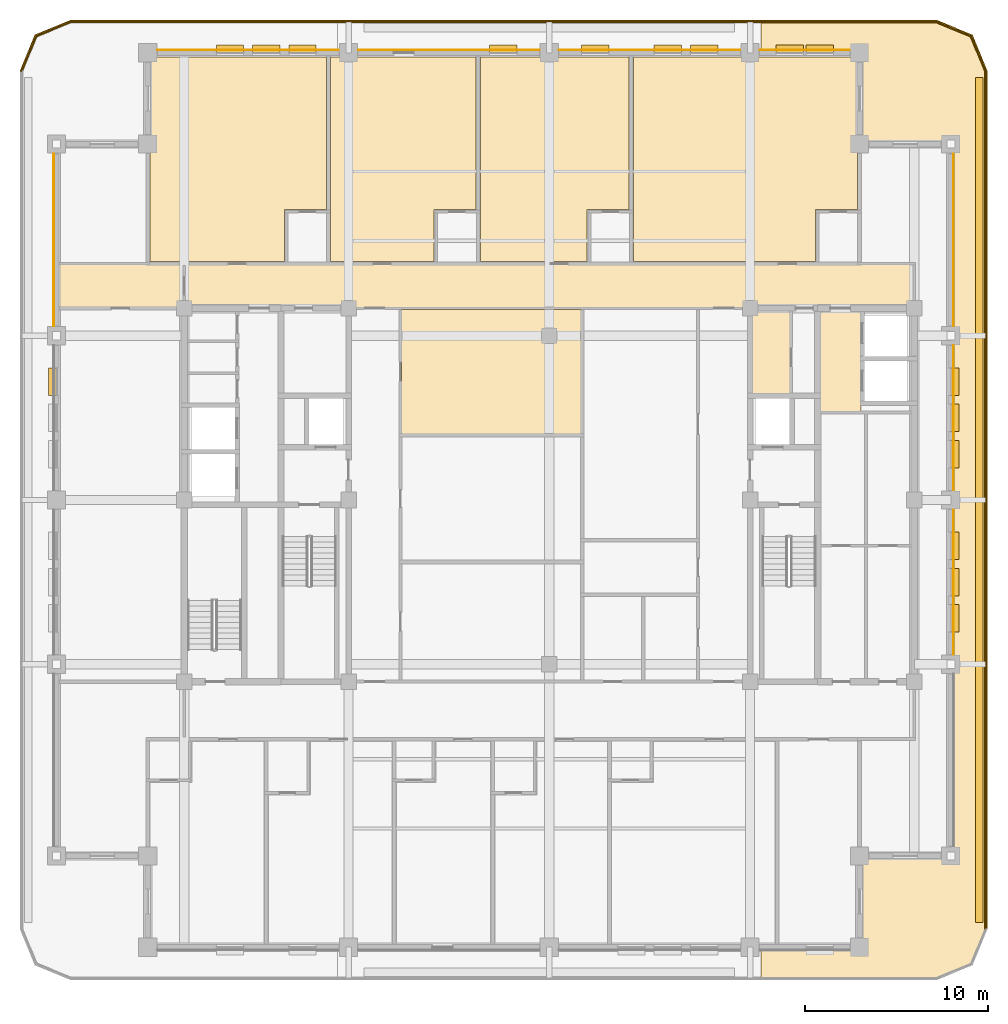
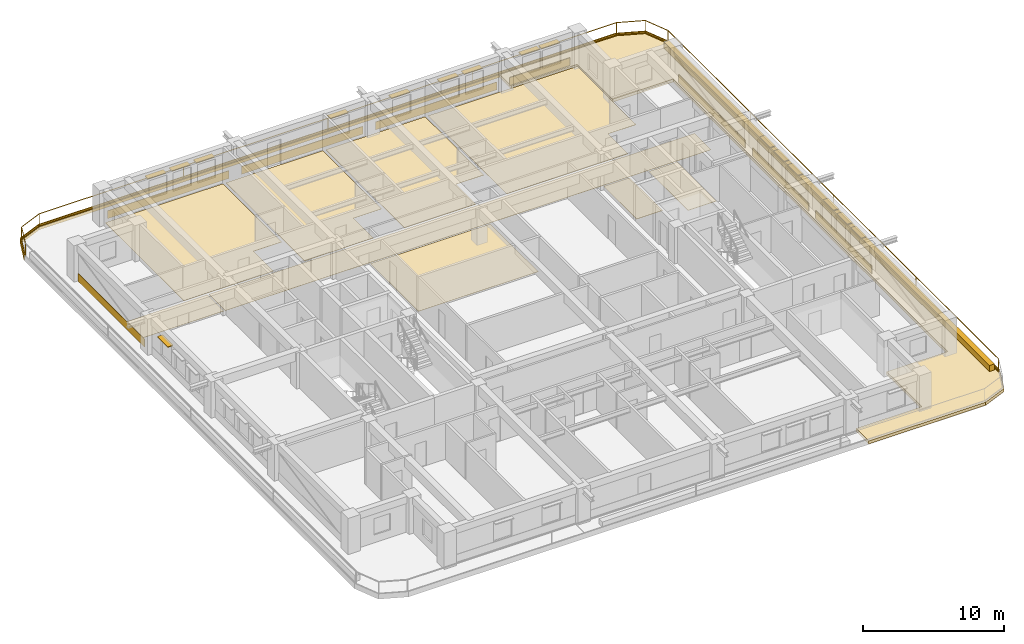
# One storey, part 15 of 15: 25 coverings, 16 shading devices, 2 railings.
"""IFC4 building model written with IfcOpenShell, lengths in metres."""

import ifcopenshell
import ifcopenshell.guid

model = None  # the IFC model being written
_history = None  # IfcOwnerHistory: only IFC2X3 demands one
_inside = {}  # id of a spatial element -> (the spatial element, [elements in it])
_under = {}  # id of a project, library or spatial element -> (it, [spatial elements below it])
_declared = {}  # id of a project -> (the project, [libraries it declares])
_typed = {}  # id of a type object -> (the type object, [elements of that type])
_made_of = {}  # id of a material, layer set ... -> (it, [elements and type objects made of it])


def new_model(schema):
    """Start an empty IFC model of exactly this schema.

    Asked for "IFC4X3", IfcOpenShell would pick the latest addendum, in which some entities
    have other attributes; the version numbers below select the first issue.
    IFC2X3 requires an IfcOwnerHistory on every rooted entity: one is made here for all.
    """
    global model, _history
    if schema == "IFC4X3":
        model = ifcopenshell.file(schema_version=(4, 3, 0, 0))
    else:
        model = ifcopenshell.file(schema=schema)
    _inside.clear()
    _under.clear()
    _declared.clear()
    _typed.clear()
    _made_of.clear()
    _history = None
    if model.schema == "IFC2X3":
        org = make("IfcOrganization", Name="unknown")
        user = make(
            "IfcPersonAndOrganization",
            ThePerson=make("IfcPerson", FamilyName="unknown"),
            TheOrganization=org,
        )
        app = make(
            "IfcApplication",
            ApplicationDeveloper=org,
            Version="unknown",
            ApplicationFullName="unknown",
            ApplicationIdentifier="unknown",
        )
        _history = make(
            "IfcOwnerHistory",
            OwningUser=user,
            OwningApplication=app,
            ChangeAction="ADDED",
            CreationDate=0,
        )
    return model


def make(cls, **values):
    """One entity of the class cls with the attributes given. An attribute that is None is left unset."""
    return model.create_entity(
        cls, **{name: value for name, value in values.items() if value is not None}
    )


def rooted(cls, **values):
    """An entity with a GlobalId (a new one), such as an element, a storey or a relation."""
    return make(cls, GlobalId=ifcopenshell.guid.new(), OwnerHistory=_history, **values)


def si_unit(unit_type, name, prefix=None):
    """IfcSIUnit, for example si_unit("LENGTHUNIT", "METRE", prefix="MILLI")."""
    return make("IfcSIUnit", UnitType=unit_type, Prefix=prefix, Name=name)


def assignment(units):
    """IfcUnitAssignment: the units of a project."""
    return None if units is None else make("IfcUnitAssignment", Units=units)


def point(xyz):
    """IfcCartesianPoint."""
    return None if xyz is None else make("IfcCartesianPoint", Coordinates=xyz)


def direction(xyz):
    """IfcDirection."""
    return None if xyz is None else make("IfcDirection", DirectionRatios=xyz)


def frame(location, z_axis=None, x_axis=None):
    """IfcAxis2Placement3D, a coordinate frame: its origin and axes. An axis left out is left unset."""
    return make(
        "IfcAxis2Placement3D",
        Location=point(location),
        Axis=direction(z_axis),
        RefDirection=direction(x_axis),
    )


def frame_2d(location, x_axis=None):
    """IfcAxis2Placement2D, a coordinate frame in the plane: its origin and x axis."""
    return make(
        "IfcAxis2Placement2D", Location=point(location), RefDirection=direction(x_axis)
    )


def origin():
    """The frame at (0, 0, 0) with its axes left unset."""
    return frame((0.0, 0.0, 0.0))


def origin_2d():
    """The frame at (0, 0) in the plane with its x axis left unset."""
    return frame_2d((0.0, 0.0))


def place(relative_to, where):
    """IfcLocalPlacement: puts the frame where relative to a parent placement (None: the world)."""
    return make(
        "IfcLocalPlacement", PlacementRelTo=relative_to, RelativePlacement=where
    )


def context(
    kind, dimensions, precision=None, world=None, true_north=None, identifier=None
):
    """IfcGeometricRepresentationContext, for example the 3D "Model" context."""
    return make(
        "IfcGeometricRepresentationContext",
        ContextIdentifier=identifier,
        ContextType=kind,
        CoordinateSpaceDimension=dimensions,
        Precision=precision,
        WorldCoordinateSystem=world,
        TrueNorth=true_north,
    )


def subcontext(parent, identifier, kind, view, scale=None):
    """IfcGeometricRepresentationSubContext, for example "Body" below "Model"."""
    return make(
        "IfcGeometricRepresentationSubContext",
        ContextIdentifier=identifier,
        ContextType=kind,
        ParentContext=parent,
        TargetScale=scale,
        TargetView=view,
    )


def project(units=None, contexts=None):
    """IfcProject with its units and contexts."""
    return rooted(
        "IfcProject",
        Name="project",
        RepresentationContexts=contexts,
        UnitsInContext=assignment(units),
    )


def spatial(cls, under=None, at=None, **own):
    """A site, building, storey or space (cls), placed at a placement, below another one or the project."""
    s = rooted(cls, ObjectPlacement=at, **own)
    if under is not None:
        _under.setdefault(under.id(), (under, []))[1].append(s)
    return s


def polyline(points):
    """IfcPolyline through the points."""
    return make("IfcPolyline", Points=[point(p) for p in points])


def profile(cls, at=None, kind="AREA", **sizes):
    """A parametric profile (cls). Its sizes go by their IFC names, for example OverallWidth=200.0."""
    return make(cls, ProfileType=kind, Position=at, **sizes)


def rectangle(**sizes):
    """IfcRectangleProfileDef."""
    return profile("IfcRectangleProfileDef", **sizes)


def outline(outer, holes=None, kind="AREA"):
    """IfcArbitraryClosedProfileDef: a profile drawn as a closed curve; with holes, ...WithVoids."""
    if holes is None:
        return make("IfcArbitraryClosedProfileDef", ProfileType=kind, OuterCurve=outer)
    return make(
        "IfcArbitraryProfileDefWithVoids",
        ProfileType=kind,
        OuterCurve=outer,
        InnerCurves=holes,
    )


def extrude(swept, where, along, depth):
    """IfcExtrudedAreaSolid: the profile swept, set in the frame where, extruded along a direction by depth."""
    return make(
        "IfcExtrudedAreaSolid",
        SweptArea=swept,
        Position=where,
        ExtrudedDirection=direction(along),
        Depth=depth,
    )


def shape(context_of_items, identifier, shape_type, items):
    """IfcShapeRepresentation: the items that make up one representation, for example the "Body"."""
    return make(
        "IfcShapeRepresentation",
        ContextOfItems=context_of_items,
        RepresentationIdentifier=identifier,
        RepresentationType=shape_type,
        Items=items,
    )


def material(Name=None, Category=None):
    """IfcMaterial."""
    return make("IfcMaterial", Name=Name, Category=Category)


def layer(
    of_material, thickness, ventilated=None, Name=None, Category=None, Priority=None
):
    """IfcMaterialLayer: one layer of a wall or slab, of a material (None: an air gap)."""
    return make(
        "IfcMaterialLayer",
        Material=of_material,
        LayerThickness=thickness,
        IsVentilated=ventilated,
        Name=Name,
        Category=Category,
        Priority=Priority,
    )


def layer_set(layers, Name=None):
    """IfcMaterialLayerSet."""
    return make("IfcMaterialLayerSet", MaterialLayers=layers, LayerSetName=Name)


def made_of(thing, what):
    """Note that an element or type object is made of a material, layer set ...; save() writes the relation."""
    if what is not None:
        _made_of.setdefault(what.id(), (what, []))[1].append(thing)
    return thing


def type_object(cls, material=None, **own):
    """A type object (cls), such as IfcWallType, which elements share."""
    return made_of(rooted(cls, **own), material)


def element(
    cls,
    number,
    at=None,
    inside=None,
    cuts=None,
    type_object=None,
    material=None,
    context=None,
    identifier="Body",
    shape_type=None,
    held_by="IfcProductDefinitionShape",
    body=None,
    shapes=None,
    **own,
):
    """One element of the class cls, such as IfcWall. Its Tag is "e" and its number.

    at: its placement. inside: the storey or other place that contains it. cuts: it is an
    opening in that element (IfcRelVoidsElement). A single representation is given by context,
    identifier, shape_type and body (its items); several are given by shapes. held_by: the class
    of the entity that holds the representations. save() writes the other relations.
    """
    e = rooted(cls, Tag="e%d" % number, ObjectPlacement=at, **own)
    if body is not None:
        shapes = [shape(context, identifier, shape_type, body)]
    if shapes is not None:
        e.Representation = make(held_by, Representations=shapes)
    if inside is not None:
        _inside.setdefault(inside.id(), (inside, []))[1].append(e)
    if cuts is not None:
        rooted(
            "IfcRelVoidsElement", RelatingBuildingElement=cuts, RelatedOpeningElement=e
        )
    if type_object is not None:
        _typed.setdefault(type_object.id(), (type_object, []))[1].append(e)
    return made_of(e, material)


def aggregate(whole, parts):
    """IfcRelAggregates: a whole, such as a stair, and the parts it consists of."""
    return rooted("IfcRelAggregates", RelatingObject=whole, RelatedObjects=parts)


def save(model, path):
    """Write the relations noted so far, then the file.

    IfcRelAggregates (storeys below a building ...), IfcRelContainedInSpatialStructure (elements
    in a storey), IfcRelDefinesByType, IfcRelAssociatesMaterial and IfcRelDeclares: one each for
    every whole, place, type object, material and project.
    """
    for whole, parts in _under.values():
        aggregate(whole, parts)
    for where, things in _inside.values():
        rooted(
            "IfcRelContainedInSpatialStructure",
            RelatedElements=things,
            RelatingStructure=where,
        )
    for kind, things in _typed.values():
        rooted("IfcRelDefinesByType", RelatedObjects=things, RelatingType=kind)
    for what, things in _made_of.values():
        rooted("IfcRelAssociatesMaterial", RelatedObjects=things, RelatingMaterial=what)
    for by, libraries in _declared.values():
        rooted("IfcRelDeclares", RelatingContext=by, RelatedDefinitions=libraries)
    model.write(path)


model = new_model("IFC4")

# Units and contexts
model_context = context("Model", 3, precision=1e-05, world=origin(), true_north=direction((0.0, 1.0)))
body_context = subcontext(model_context, "Body", "Model", "MODEL_VIEW")
ifc_project = project(units=[si_unit("LENGTHUNIT", "METRE"), si_unit("AREAUNIT", "SQUARE_METRE"), si_unit("VOLUMEUNIT", "CUBIC_METRE"), si_unit("PLANEANGLEUNIT", "RADIAN"), si_unit("MASSUNIT", "GRAM", prefix="KILO")], contexts=[model_context])

# Site, building, storey
site_placement = place(None, origin())
site = spatial("IfcSite", under=ifc_project, at=site_placement, CompositionType="ELEMENT")
building_placement = place(site_placement, origin())
building = spatial("IfcBuilding", under=site, at=building_placement, Name="Zulmaris Gate Convention Tower", CompositionType="ELEMENT")
storey_placement = place(building_placement, frame((0.0, 0.0, 201.659912109375)))
storey = spatial("IfcBuildingStorey", under=building, at=storey_placement, Name="L52", CompositionType="ELEMENT", Elevation=201.659912109375)

# Coverings
ifc_material_1 = material(Name="Precast concrete C40/50", Category="concrete")
ifc_layer_1 = layer(ifc_material_1, 0.0400390625, Name="Precast concrete C40/50")
ifc_layer_set_1 = layer_set([ifc_layer_1], Name="Precast concrete C40/50")
covering_type_1 = type_object("IfcCoveringType", Name="CLAD-SPANDREL-PRECAST", PredefinedType="CLADDING", material=ifc_layer_set_1)
for number, where, z_axis, x_axis, name in (
    (1, (-11.530029296875, 24.64990234375, 0.0), (0.0, 0.0, 1.0), (-1.0, 0.0, 0.0), "CLD-L52-N-0_0"),
    (2, (-0.530029296875, 24.64990234375, 0.0), (0.0, 0.0, 1.0), (-1.0, 0.0, 0.0), "CLD-L52-N-1_0"),
    (3, (10.469970703125, 24.64990234375, 0.0), (0.0, 0.0, 1.0), (-1.0, 0.0, 0.0), "CLD-L52-N-2_0"),
):
    element("IfcCovering", number, at=place(storey_placement, frame(where, z_axis=z_axis, x_axis=x_axis)), inside=storey, type_object=covering_type_1, Name=name, PredefinedType="CLADDING", context=body_context, shape_type="SweptSolid", body=[
        extrude(rectangle(XDim=9.93994140625, YDim=0.0400390625, at=frame_2d((4.969970703125, 0.0))), origin(), (0.0, 0.0, 1.0), 0.679931640625),
    ])
covering_1_placement = place(storey_placement, frame((16.469970703125, 24.64990234375, 0.0), z_axis=(0.0, 0.0, 1.0), x_axis=(-1.0, 0.0, 0.0)))
element("IfcCovering", 4, at=covering_1_placement, inside=storey, type_object=covering_type_1, Name="CLD-L52-N-3_0", PredefinedType="CLADDING", context=body_context, shape_type="SweptSolid", body=[
    extrude(rectangle(XDim=4.93994140625, YDim=0.0400390625, at=frame_2d((2.469970703125, 0.0))), origin(), (0.0, 0.0, 1.0), 0.679931640625),
])
for number, where, z_axis, x_axis, name in (
    (5, (22.14990234375, -8.469970703125, 0.0), (0.0, 0.0, 1.0), (0.0, 1.0, 0.0), "CLD-L52-E-1_0"),
    (6, (22.14990234375, 0.530029296875, 0.0), (0.0, 0.0, 1.0), (0.0, 1.0, 0.0), "CLD-L52-E-2_0"),
):
    element("IfcCovering", number, at=place(storey_placement, frame(where, z_axis=z_axis, x_axis=x_axis)), inside=storey, type_object=covering_type_1, Name=name, PredefinedType="CLADDING", context=body_context, shape_type="SweptSolid", body=[
        extrude(rectangle(XDim=7.93994140625, YDim=0.0400390625, at=frame_2d((3.969970703125, 0.0))), origin(), (0.0, 0.0, 1.0), 0.679931640625),
    ])
for number, where, z_axis, x_axis, name in (
    (7, (22.14990234375, 9.530029296875, 0.0), (0.0, 0.0, 1.0), (0.0, 1.0, 0.0), "CLD-L52-E-3_0"),
    (8, (-27.14990234375, 18.969970703125, 0.0), (0.0, 0.0, 1.0), (0.0, -1.0, 0.0), "CLD-L52-W-3_0"),
):
    element("IfcCovering", number, at=place(storey_placement, frame(where, z_axis=z_axis, x_axis=x_axis)), inside=storey, type_object=covering_type_1, Name=name, PredefinedType="CLADDING", context=body_context, shape_type="SweptSolid", body=[
        extrude(rectangle(XDim=9.43994140625, YDim=0.0400390625, at=frame_2d((4.719970703125, 0.0))), origin(), (0.0, 0.0, 1.0), 0.679931640625),
    ])
ifc_material_2 = material(Name="White Glazed Architectural Precast Concrete C40/50", Category="concrete")
ifc_layer_2 = layer(ifc_material_2, 0.239990234375, Name="White Glazed Architectural Precast Concrete C40/50")
ifc_layer_set_2 = layer_set([ifc_layer_2], Name="White Glazed Architectural Precast Concrete C40/50")
covering_type_2 = type_object("IfcCoveringType", Name="CLAD-TRAY-DECK", PredefinedType="CLADDING", material=ifc_layer_set_2)
covering_2_placement = place(storey_placement, frame((0.0, 0.0, -0.25)))
element("IfcCovering", 9, at=covering_2_placement, inside=storey, type_object=covering_type_2, Name="L52 East Rounded-Fascia Planter Tray Deck", PredefinedType="CLADDING", context=body_context, shape_type="SweptSolid", body=[
    extrude(outline(polyline([(21.199951171875, 26.300048828125), (23.179931640625, 25.47998046875), (24.0, 23.5), (24.0, -23.5), (23.179931640625, -25.47998046875), (21.199951171875, -26.300048828125), (11.60205078125, -26.300048828125), (11.60205078125, -24.5), (17.0, -24.5), (17.0, -19.5), (22.0, -19.5), (22.0, 19.5), (17.0, 19.5), (17.0, 24.5), (11.60205078125, 24.5), (11.60205078125, 26.300048828125), (21.199951171875, 26.300048828125)])), origin(), (0.0, 0.0, 1.0), 0.260009765625),
])
ifc_layer_3 = layer(ifc_material_2, 0.080078125, Name="White Glazed Architectural Precast Concrete C40/50")
ifc_layer_set_3 = layer_set([ifc_layer_3], Name="White Glazed Architectural Precast Concrete C40/50")
covering_type_3 = type_object("IfcCoveringType", Name="CLAD-TRAY-FASCIA", PredefinedType="CLADDING", material=ifc_layer_set_3)
covering_3_placement = place(storey_placement, frame((23.9599609375, -23.5, -0.2900390625), z_axis=(0.0, 0.0, 1.0), x_axis=(0.0, 1.0, 0.0)))
element("IfcCovering", 10, at=covering_3_placement, inside=storey, type_object=covering_type_3, Name="FSC-L52-TR-05", PredefinedType="CLADDING", context=body_context, shape_type="SweptSolid", body=[
    extrude(rectangle(XDim=47.0, YDim=0.080078125, at=frame_2d((23.5, 0.0))), origin(), (0.0, 0.0, 1.0), 0.4599609375),
])
covering_4_placement = place(storey_placement, frame((23.962890625, 23.484619140625, -0.2900390625), z_axis=(0.0, 0.0, 1.0), x_axis=(-0.382656984709, 0.923890487046, 0.0)))
element("IfcCovering", 11, at=covering_4_placement, inside=storey, type_object=covering_type_3, Name="FSC-L52-TR-06", PredefinedType="CLADDING", context=body_context, shape_type="SweptSolid", body=[
    extrude(rectangle(XDim=2.14306640625, YDim=0.080078125, at=frame_2d((1.071533203125, 0.0))), origin(), (0.0, 0.0, 1.0), 0.4599609375),
])
covering_5_placement = place(storey_placement, frame((23.16455078125, 25.44287109375, -0.2900390625), z_axis=(0.0, 0.0, 1.0), x_axis=(-0.923873803533, 0.382697263049, 0.0)))
element("IfcCovering", 12, at=covering_5_placement, inside=storey, type_object=covering_type_3, Name="FSC-L52-TR-07", PredefinedType="CLADDING", context=body_context, shape_type="SweptSolid", body=[
    extrude(rectangle(XDim=2.142822265625, YDim=0.080078125, at=frame_2d((1.0712890625, 0.0))), origin(), (0.0, 0.0, 1.0), 0.4599609375),
])
covering_6_placement = place(storey_placement, frame((21.199951171875, 26.260009765625, -0.2900390625), z_axis=(0.0, 0.0, 1.0), x_axis=(-1.0, 0.0, 0.0)))
element("IfcCovering", 13, at=covering_6_placement, inside=storey, type_object=covering_type_3, Name="FSC-L52-TR-08", PredefinedType="CLADDING", context=body_context, shape_type="SweptSolid", body=[
    extrude(rectangle(XDim=47.39990234375, YDim=0.080078125, at=frame_2d((23.699951171875, 0.0))), origin(), (0.0, 0.0, 1.0), 0.4599609375),
])
covering_7_placement = place(storey_placement, frame((-26.184814453125, 26.262939453125, -0.2900390625), z_axis=(0.0, 0.0, 1.0), x_axis=(-0.923873803533, -0.382697263049, 0.0)))
element("IfcCovering", 14, at=covering_7_placement, inside=storey, type_object=covering_type_3, Name="FSC-L52-TR-09", PredefinedType="CLADDING", context=body_context, shape_type="SweptSolid", body=[
    extrude(rectangle(XDim=2.142822265625, YDim=0.080078125, at=frame_2d((1.0712890625, 0.0))), origin(), (0.0, 0.0, 1.0), 0.4599609375),
])
covering_8_placement = place(storey_placement, frame((-28.142822265625, 25.464599609375, -0.2900390625), z_axis=(0.0, 0.0, 1.0), x_axis=(-0.382656984709, -0.923890487046, 0.0)))
element("IfcCovering", 15, at=covering_8_placement, inside=storey, type_object=covering_type_3, Name="FSC-L52-TR-10", PredefinedType="CLADDING", context=body_context, shape_type="SweptSolid", body=[
    extrude(rectangle(XDim=2.14306640625, YDim=0.080078125, at=frame_2d((1.071533203125, 0.0))), origin(), (0.0, 0.0, 1.0), 0.4599609375),
])
ifc_material_3 = material(Name="Woven Acoustic Wool Carpet Tile")
ifc_layer_4 = layer(ifc_material_3, 0.02001953125, Name="Woven Acoustic Wool Carpet Tile")
ifc_layer_set_4 = layer_set([ifc_layer_4], Name="Woven Acoustic Wool Carpet Tile")
covering_type_4 = type_object("IfcCoveringType", Name="FLR-CARPET-12", PredefinedType="FLOORING", material=ifc_layer_set_4)
covering_9_placement = place(storey_placement, origin())
element("IfcCovering", 16, at=covering_9_placement, inside=storey, type_object=covering_type_4, Name="FLR-L52-R12", PredefinedType="FLOORING", context=body_context, shape_type="SweptSolid", body=[
    extrude(outline(polyline([(11.06005859375, 5.760009765625), (13.18994140625, 5.760009765625), (13.18994140625, 10.43994140625), (11.06005859375, 10.43994140625), (11.06005859375, 5.760009765625)])), origin(), (0.0, 0.0, 1.0), 0.02001953125),
])
covering_10_placement = place(storey_placement, origin())
element("IfcCovering", 17, at=covering_10_placement, inside=storey, type_object=covering_type_4, Name="FLR-L52-R24", PredefinedType="FLOORING", context=body_context, shape_type="SweptSolid", body=[
    extrude(outline(polyline([(14.760009765625, 4.860107421875), (17.090087890625, 4.860107421875), (17.090087890625, 10.43994140625), (14.760009765625, 10.43994140625), (14.760009765625, 4.860107421875)])), origin(), (0.0, 0.0, 1.0), 0.02001953125),
])
covering_11_placement = place(storey_placement, origin())
element("IfcCovering", 18, at=covering_11_placement, inside=storey, type_object=covering_type_4, Name="FLR-L52-R31", PredefinedType="FLOORING", context=body_context, shape_type="SweptSolid", body=[
    extrude(outline(polyline([(-19.93994140625, 10.56005859375), (19.93994140625, 10.56005859375), (19.93994140625, 12.889892578125), (-19.93994140625, 12.889892578125), (-19.93994140625, 10.56005859375)])), origin(), (0.0, 0.0, 1.0), 0.02001953125),
])
covering_12_placement = place(storey_placement, origin())
element("IfcCovering", 19, at=covering_12_placement, inside=storey, type_object=covering_type_4, Name="FLR-L52-R61", PredefinedType="FLOORING", context=body_context, shape_type="SweptSolid", body=[
    extrude(outline(polyline([(-26.93994140625, 10.56005859375), (-20.06005859375, 10.56005859375), (-20.06005859375, 12.889892578125), (-26.93994140625, 12.889892578125), (-26.93994140625, 10.56005859375)])), origin(), (0.0, 0.0, 1.0), 0.02001953125),
])
ifc_material_4 = material(Name="Engineered Teak Parquet Flooring")
ifc_layer_5 = layer(ifc_material_4, 0.02001953125, Name="Engineered Teak Parquet Flooring")
ifc_layer_set_5 = layer_set([ifc_layer_5], Name="Engineered Teak Parquet Flooring")
covering_type_5 = type_object("IfcCoveringType", Name="FLR-TIMBER-18", PredefinedType="FLOORING", material=ifc_layer_set_5)
covering_13_placement = place(storey_placement, origin())
element("IfcCovering", 20, at=covering_13_placement, inside=storey, type_object=covering_type_5, Name="FLR-L52-R36", PredefinedType="FLOORING", context=body_context, shape_type="SweptSolid", body=[
    extrude(outline(polyline([(-21.8798828125, 13.070068359375), (-14.52001953125, 13.070068359375), (-14.52001953125, 15.919921875), (-12.219970703125, 15.919921875), (-12.219970703125, 24.260009765625), (-21.8798828125, 24.260009765625), (-21.8798828125, 13.070068359375)])), origin(), (0.0, 0.0, 1.0), 0.02001953125),
])
covering_14_placement = place(storey_placement, origin())
element("IfcCovering", 21, at=covering_14_placement, inside=storey, type_object=covering_type_5, Name="FLR-L52-R38", PredefinedType="FLOORING", context=body_context, shape_type="SweptSolid", body=[
    extrude(outline(polyline([(-11.97998046875, 13.070068359375), (-6.320068359375, 13.070068359375), (-6.320068359375, 15.919921875), (-4.02001953125, 15.919921875), (-4.02001953125, 24.260009765625), (-11.97998046875, 24.260009765625), (-11.97998046875, 13.070068359375)])), origin(), (0.0, 0.0, 1.0), 0.02001953125),
])
covering_15_placement = place(storey_placement, origin())
element("IfcCovering", 22, at=covering_15_placement, inside=storey, type_object=covering_type_5, Name="FLR-L52-R40", PredefinedType="FLOORING", context=body_context, shape_type="SweptSolid", body=[
    extrude(outline(polyline([(-3.780029296875, 13.070068359375), (2.080078125, 13.070068359375), (2.080078125, 15.919921875), (4.3798828125, 15.919921875), (4.3798828125, 24.260009765625), (-3.780029296875, 24.260009765625), (-3.780029296875, 13.070068359375)])), origin(), (0.0, 0.0, 1.0), 0.02001953125),
])
covering_16_placement = place(storey_placement, origin())
element("IfcCovering", 23, at=covering_16_placement, inside=storey, type_object=covering_type_5, Name="FLR-L52-R42", PredefinedType="FLOORING", context=body_context, shape_type="SweptSolid", body=[
    extrude(outline(polyline([(4.6201171875, 13.070068359375), (14.580078125, 13.070068359375), (14.580078125, 15.919921875), (16.8798828125, 15.919921875), (16.8798828125, 24.260009765625), (4.6201171875, 24.260009765625), (4.6201171875, 13.070068359375)])), origin(), (0.0, 0.0, 1.0), 0.02001953125),
])
covering_17_placement = place(storey_placement, origin())
element("IfcCovering", 24, at=covering_17_placement, inside=storey, type_object=covering_type_5, Name="FLR-L52-R54", PredefinedType="FLOORING", context=body_context, shape_type="SweptSolid", body=[
    extrude(outline(polyline([(-8.090087890625, 3.610107421875), (1.739990234375, 3.610107421875), (1.739990234375, 10.43994140625), (-8.090087890625, 10.43994140625), (-8.090087890625, 3.610107421875)])), origin(), (0.0, 0.0, 1.0), 0.02001953125),
])
ifc_material_5 = material(Name="Botanical Green Glazed Precast Concrete C40/50", Category="concrete")
ifc_layer_6 = layer(ifc_material_5, 0.419921875, Name="Botanical Green Glazed Precast Concrete C40/50")
ifc_layer_set_6 = layer_set([ifc_layer_6], Name="Botanical Green Glazed Precast Concrete C40/50")
covering_type_6 = type_object("IfcCoveringType", Name="PLANTER-BOX-200", PredefinedType="CLADDING", material=ifc_layer_set_6)
covering_18_placement = place(storey_placement, frame((0.0, 0.0, 0.010009765625)))
element("IfcCovering", 25, at=covering_18_placement, inside=storey, type_object=covering_type_6, Name="L52 E Full-Length Balcony Tree Planter Trough", PredefinedType="CLADDING", context=body_context, shape_type="SweptSolid", body=[
    extrude(outline(polyline([(23.340087890625, -23.14990234375), (23.760009765625, -23.14990234375), (23.760009765625, 23.14990234375), (23.340087890625, 23.14990234375), (23.340087890625, -23.14990234375)])), origin(), (0.0, 0.0, 1.0), 0.52001953125),
])

# Railings
ifc_material_6 = material(Name="Laminated Glass and Stainless Steel", Category="steel")
railing_type = type_object("IfcRailingType", Name="RL-BALC-1150", PredefinedType="BALUSTRADE", material=ifc_material_6)
railing_1_placement = place(storey_placement, frame((23.8798828125, -23.5, 0.010009765625)))
element("IfcRailing", 26, at=railing_1_placement, inside=storey, type_object=railing_type, Name="RL-L52-BALC-E", PredefinedType="BALUSTRADE", context=body_context, shape_type="SweptSolid", body=[
    extrude(rectangle(XDim=0.048095703125, YDim=0.048095703125, at=origin_2d()), frame((0.0, 0.0, 1.1259765625), z_axis=(0.0, 1.0, 0.0), x_axis=(-1.0, 0.0, 0.0)), (0.0, 0.0, 1.0), 47.0),
    extrude(rectangle(XDim=0.048095703125, YDim=0.048095703125, at=origin_2d()), frame((0.0, 0.0, 0.02392578125), z_axis=(0.0, 1.0, 0.0), x_axis=(-1.0, 0.0, 0.0)), (0.0, 0.0, 1.0), 47.0),
    extrude(rectangle(XDim=0.0419921875, YDim=0.0419921875, at=origin_2d()), origin(), (0.0, 0.0, 1.0), 1.101806640625),
    extrude(rectangle(XDim=0.0419921875, YDim=0.0419921875, at=origin_2d()), frame((0.0, 11.75, 0.0)), (0.0, 0.0, 1.0), 1.101806640625),
    extrude(rectangle(XDim=0.0419921875, YDim=0.0419921875, at=origin_2d()), frame((0.0, 23.5, 0.0)), (0.0, 0.0, 1.0), 1.101806640625),
    extrude(rectangle(XDim=0.0419921875, YDim=0.0419921875, at=origin_2d()), frame((0.0, 35.25, 0.0)), (0.0, 0.0, 1.0), 1.101806640625),
    extrude(rectangle(XDim=0.0419921875, YDim=0.0419921875, at=origin_2d()), frame((0.0, 47.0, 0.0)), (0.0, 0.0, 1.0), 1.101806640625),
])
railing_2_placement = place(storey_placement, frame((23.8798828125, 23.5, 0.010009765625)))
element("IfcRailing", 27, at=railing_2_placement, inside=storey, type_object=railing_type, Name="RL-L52-BALC-N", PredefinedType="BALUSTRADE", context=body_context, shape_type="SweptSolid", body=[
    extrude(rectangle(XDim=0.048095703125, YDim=0.048095703125, at=origin_2d()), frame((0.0, 0.0, 1.1259765625), z_axis=(-0.382670664694, 0.92388482095, 0.0), x_axis=(-0.92388482095, -0.382670664694, 0.0)), (0.0, 0.0, 1.0), 2.051025390625),
    extrude(rectangle(XDim=0.048095703125, YDim=0.048095703125, at=origin_2d()), frame((0.0, 0.0, 0.02392578125), z_axis=(-0.382670664694, 0.92388482095, 0.0), x_axis=(-0.92388482095, -0.382670664694, 0.0)), (0.0, 0.0, 1.0), 2.051025390625),
    extrude(rectangle(XDim=0.048095703125, YDim=0.048095703125, at=origin_2d()), frame((-0.784912109375, 1.89501953125, 1.1259765625), z_axis=(-0.92388482095, 0.382670664694, 0.0), x_axis=(-0.382670664694, -0.92388482095, 0.0)), (0.0, 0.0, 1.0), 2.051025390625),
    extrude(rectangle(XDim=0.048095703125, YDim=0.048095703125, at=origin_2d()), frame((-0.784912109375, 1.89501953125, 0.02392578125), z_axis=(-0.92388482095, 0.382670664694, 0.0), x_axis=(-0.382670664694, -0.92388482095, 0.0)), (0.0, 0.0, 1.0), 2.051025390625),
    extrude(rectangle(XDim=0.048095703125, YDim=0.048095703125, at=origin_2d()), frame((-2.679931640625, 2.679931640625, 1.1259765625), z_axis=(-1.0, 0.0, 0.0), x_axis=(0.0, -1.0, 0.0)), (0.0, 0.0, 1.0), 47.39990234375),
    extrude(rectangle(XDim=0.048095703125, YDim=0.048095703125, at=origin_2d()), frame((-2.679931640625, 2.679931640625, 0.02392578125), z_axis=(-1.0, 0.0, 0.0), x_axis=(0.0, -1.0, 0.0)), (0.0, 0.0, 1.0), 47.39990234375),
    extrude(rectangle(XDim=0.048095703125, YDim=0.048095703125, at=origin_2d()), frame((-50.079833984375, 2.679931640625, 1.1259765625), z_axis=(-0.92388482095, -0.382670664694, 0.0), x_axis=(0.382670664694, -0.92388482095, 0.0)), (0.0, 0.0, 1.0), 2.051025390625),
    extrude(rectangle(XDim=0.048095703125, YDim=0.048095703125, at=origin_2d()), frame((-50.079833984375, 2.679931640625, 0.02392578125), z_axis=(-0.92388482095, -0.382670664694, 0.0), x_axis=(0.382670664694, -0.92388482095, 0.0)), (0.0, 0.0, 1.0), 2.051025390625),
    extrude(rectangle(XDim=0.048095703125, YDim=0.048095703125, at=origin_2d()), frame((-51.974853515625, 1.89501953125, 1.1259765625), z_axis=(-0.382670664694, -0.92388482095, 0.0), x_axis=(0.92388482095, -0.382670664694, 0.0)), (0.0, 0.0, 1.0), 2.051025390625),
    extrude(rectangle(XDim=0.048095703125, YDim=0.048095703125, at=origin_2d()), frame((-51.974853515625, 1.89501953125, 0.02392578125), z_axis=(-0.382670664694, -0.92388482095, 0.0), x_axis=(0.92388482095, -0.382670664694, 0.0)), (0.0, 0.0, 1.0), 2.051025390625),
    extrude(rectangle(XDim=0.0419921875, YDim=0.0419921875, at=origin_2d()), origin(), (0.0, 0.0, 1.0), 1.101806640625),
    extrude(rectangle(XDim=0.0419921875, YDim=0.0419921875, at=origin_2d()), frame((-0.784912109375, 1.89501953125, 0.0)), (0.0, 0.0, 1.0), 1.101806640625),
    extrude(rectangle(XDim=0.0419921875, YDim=0.0419921875, at=origin_2d()), frame((-2.679931640625, 2.679931640625, 0.0)), (0.0, 0.0, 1.0), 1.101806640625),
    extrude(rectangle(XDim=0.0419921875, YDim=0.0419921875, at=origin_2d()), frame((-14.52978515625, 2.679931640625, 0.0)), (0.0, 0.0, 1.0), 1.101806640625),
    extrude(rectangle(XDim=0.0419921875, YDim=0.0419921875, at=origin_2d()), frame((-26.3798828125, 2.679931640625, 0.0)), (0.0, 0.0, 1.0), 1.101806640625),
    extrude(rectangle(XDim=0.0419921875, YDim=0.0419921875, at=origin_2d()), frame((-38.22998046875, 2.679931640625, 0.0)), (0.0, 0.0, 1.0), 1.101806640625),
    extrude(rectangle(XDim=0.0419921875, YDim=0.0419921875, at=origin_2d()), frame((-50.079833984375, 2.679931640625, 0.0)), (0.0, 0.0, 1.0), 1.101806640625),
    extrude(rectangle(XDim=0.0419921875, YDim=0.0419921875, at=origin_2d()), frame((-51.974853515625, 1.89501953125, 0.0)), (0.0, 0.0, 1.0), 1.101806640625),
    extrude(rectangle(XDim=0.0419921875, YDim=0.0419921875, at=origin_2d()), frame((-52.759765625, 0.0, 0.0)), (0.0, 0.0, 1.0), 1.101806640625),
])

# Shading devices
ifc_material_7 = material(Name="Glazed Ceramic Terracotta", Category="masonry")
ifc_layer_7 = layer(ifc_material_7, 0.070068359375, Name="Glazed Ceramic Terracotta")
ifc_layer_set_7 = layer_set([ifc_layer_7], Name="Glazed Ceramic Terracotta")
shading_device_type = type_object("IfcShadingDeviceType", Name="SHD-SUNSHADE-TC", PredefinedType="AWNING", material=ifc_layer_set_7)
for number, where, z_axis, x_axis, name in (
    (28, (-12.76806640625, 24.719970703125, 2.35009765625), (0.0, 0.0, 1.0), (-1.0, 0.0, 0.0), "SHD-EW-L52-N-0_0-1"),
    (29, (-14.756103515625, 24.719970703125, 2.35009765625), (0.0, 0.0, 1.0), (-1.0, 0.0, 0.0), "SHD-EW-L52-N-0_0-2"),
    (30, (-16.743896484375, 24.719970703125, 2.35009765625), (0.0, 0.0, 1.0), (-1.0, 0.0, 0.0), "SHD-EW-L52-N-0_0-3"),
    (31, (-1.76806640625, 24.719970703125, 2.35009765625), (0.0, 0.0, 1.0), (-1.0, 0.0, 0.0), "SHD-EW-L52-N-1_0-1"),
    (32, (9.23193359375, 24.719970703125, 2.35009765625), (0.0, 0.0, 1.0), (-1.0, 0.0, 0.0), "SHD-EW-L52-N-2_0-1"),
    (33, (7.243896484375, 24.719970703125, 2.35009765625), (0.0, 0.0, 1.0), (-1.0, 0.0, 0.0), "SHD-EW-L52-N-2_0-2"),
    (34, (3.26806640625, 24.719970703125, 2.35009765625), (0.0, 0.0, 1.0), (-1.0, 0.0, 0.0), "SHD-EW-L52-N-2_0-4"),
    (35, (15.572998046875, 24.719970703125, 2.35009765625), (0.0, 0.0, 1.0), (-1.0, 0.0, 0.0), "SHD-EW-L52-N-3_0-1"),
    (36, (13.927001953125, 24.719970703125, 2.35009765625), (0.0, 0.0, 1.0), (-1.0, 0.0, 0.0), "SHD-EW-L52-N-3_0-2"),
    (37, (22.219970703125, -7.235107421875, 2.35009765625), (0.0, 0.0, 1.0), (0.0, 1.0, 0.0), "SHD-EW-L52-E-1_0-1"),
    (38, (22.219970703125, -5.25, 2.35009765625), (0.0, 0.0, 1.0), (0.0, 1.0, 0.0), "SHD-EW-L52-E-1_0-2"),
    (39, (22.219970703125, -3.264892578125, 2.35009765625), (0.0, 0.0, 1.0), (0.0, 1.0, 0.0), "SHD-EW-L52-E-1_0-3"),
    (40, (22.219970703125, 1.764892578125, 2.35009765625), (0.0, 0.0, 1.0), (0.0, 1.0, 0.0), "SHD-EW-L52-E-2_0-1"),
    (41, (22.219970703125, 3.75, 2.35009765625), (0.0, 0.0, 1.0), (0.0, 1.0, 0.0), "SHD-EW-L52-E-2_0-2"),
    (42, (22.219970703125, 5.735107421875, 2.35009765625), (0.0, 0.0, 1.0), (0.0, 1.0, 0.0), "SHD-EW-L52-E-2_0-3"),
    (43, (-27.219970703125, 7.235107421875, 2.35009765625), (0.0, 0.0, 1.0), (0.0, -1.0, 0.0), "SHD-EW-L52-W-2_0-1"),
):
    element("IfcShadingDevice", number, at=place(storey_placement, frame(where, z_axis=z_axis, x_axis=x_axis)), inside=storey, type_object=shading_device_type, Name=name, PredefinedType="AWNING", context=body_context, shape_type="SweptSolid", body=[
        extrude(rectangle(XDim=1.5, YDim=0.43994140625, at=frame_2d((0.75, 0.0))), origin(), (0.0, 0.0, 1.0), 0.06982421875),
    ])

save(model, "model.ifc")
